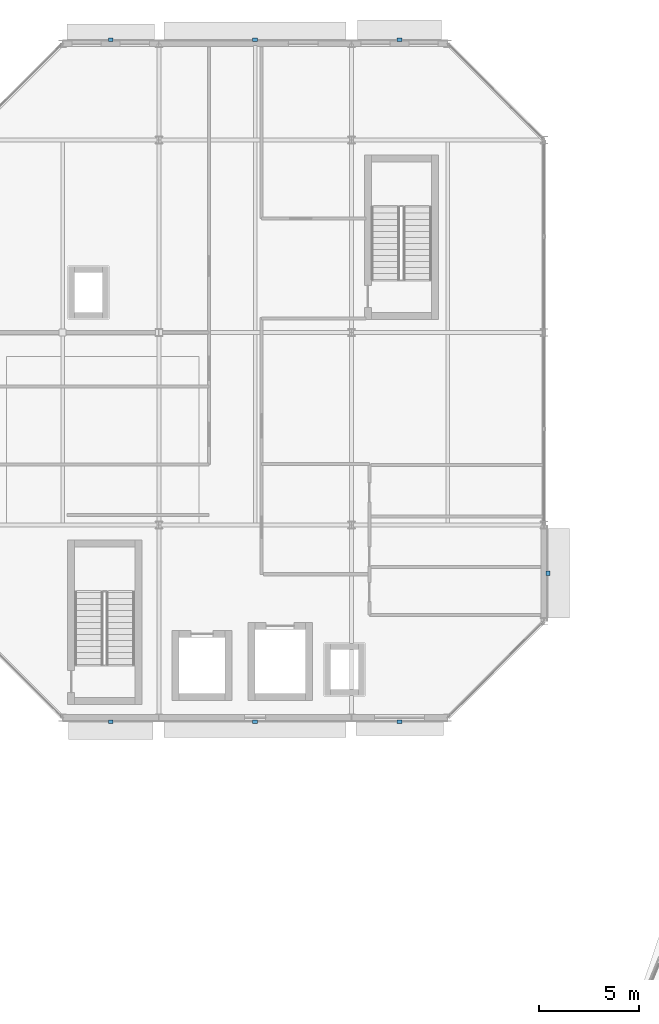
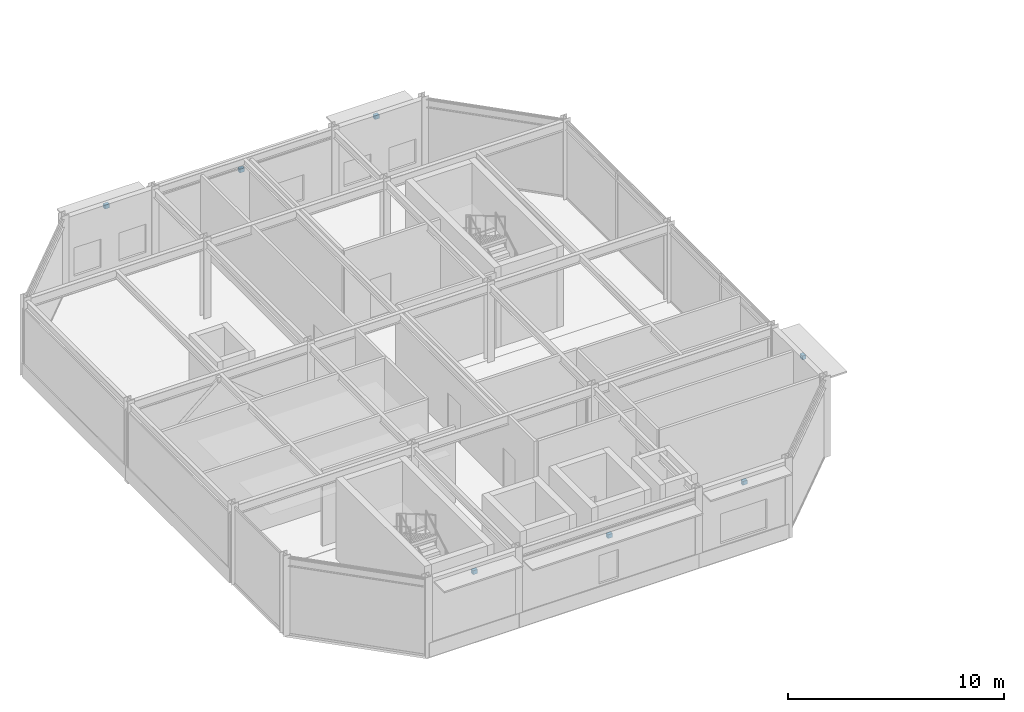
# One storey, part 97 of 116: 7 discrete accessories.
"""IFC4 building model written with IfcOpenShell, lengths in metres."""

from ifc_helpers import new_model, si_unit, direction, frame, origin, origin_2d, place, context, subcontext, project, spatial, rectangle, extrude, material, layer, layer_set, type_object, element, save


model = new_model("IFC4")

# Units and contexts
model_context = context("Model", 3, precision=1e-05, world=origin(), true_north=direction((0.0, 1.0)))
body_context = subcontext(model_context, "Body", "Model", "MODEL_VIEW")
ifc_project = project(units=[si_unit("LENGTHUNIT", "METRE"), si_unit("AREAUNIT", "SQUARE_METRE"), si_unit("VOLUMEUNIT", "CUBIC_METRE"), si_unit("PLANEANGLEUNIT", "RADIAN"), si_unit("MASSUNIT", "GRAM", prefix="KILO")], contexts=[model_context])

# Site, building, storey
site_placement = place(None, origin())
site = spatial("IfcSite", under=ifc_project, at=site_placement, CompositionType="ELEMENT")
building_placement = place(site_placement, origin())
building = spatial("IfcBuilding", under=site, at=building_placement, Name="Almandine Court Research Institute", CompositionType="ELEMENT")
storey_placement = place(building_placement, frame((0.0, 0.0, 14.35009765625)))
storey = spatial("IfcBuildingStorey", under=building, at=storey_placement, Name="L03", CompositionType="ELEMENT", Elevation=14.35009765625)

# Discrete accessories
ifc_material = material(Name="Galvanised Steel Facade Outrigger Bracket", Category="steel")
ifc_layer = layer(ifc_material, 0.219970703125)
ifc_layer_set = layer_set([ifc_layer], Name="Galvanised Steel Facade Outrigger Bracket")
discrete_accessory_type = type_object("IfcDiscreteAccessoryType", Name="Acc-CHJ-BRACKET", PredefinedType="BRACKET", material=ifc_layer_set)
for number, where, z_axis, x_axis, name in (
    (1, (13.199951171875, 117.804931640625, 3.93994140625), (0.0, 0.0, 1.0), (1.0, 0.0, 0.0), "L03 Chhajja Outrigger Bracket 37"),
    (2, (20.39990234375, 117.804931640625, 3.4541015625), (0.0, 0.0, 1.0), (1.0, 0.0, 0.0), "L03 Chhajja Outrigger Bracket 38"),
    (3, (27.60009765625, 117.804931640625, 3.93994140625), (0.0, 0.0, 1.0), (1.0, 0.0, 0.0), "L03 Chhajja Outrigger Bracket 39"),
    (4, (35.0048828125, 91.199951171875, 3.93994140625), (0.0, 0.0, 1.0), (0.0, -1.0, 0.0), "L03 Chhajja Outrigger Bracket 40"),
    (5, (27.60009765625, 83.794921875, 3.93994140625), (0.0, 0.0, 1.0), (-1.0, 0.0, 0.0), "L03 Chhajja Outrigger Bracket 41"),
    (6, (20.39990234375, 83.794921875, 3.4541015625), (0.0, 0.0, 1.0), (-1.0, 0.0, 0.0), "L03 Chhajja Outrigger Bracket 42"),
    (7, (13.199951171875, 83.794921875, 3.93994140625), (0.0, 0.0, 1.0), (-1.0, 0.0, 0.0), "L03 Chhajja Outrigger Bracket 43"),
):
    element("IfcDiscreteAccessory", number, at=place(storey_placement, frame(where, z_axis=z_axis, x_axis=x_axis)), inside=storey, type_object=discrete_accessory_type, Name=name, PredefinedType="BRACKET", context=body_context, shape_type="SweptSolid", body=[
        extrude(rectangle(XDim=0.239990234375, YDim=0.179931640625, at=origin_2d()), origin(), (0.0, 0.0, 1.0), 0.219970703125),
    ])

save(model, "model.ifc")
